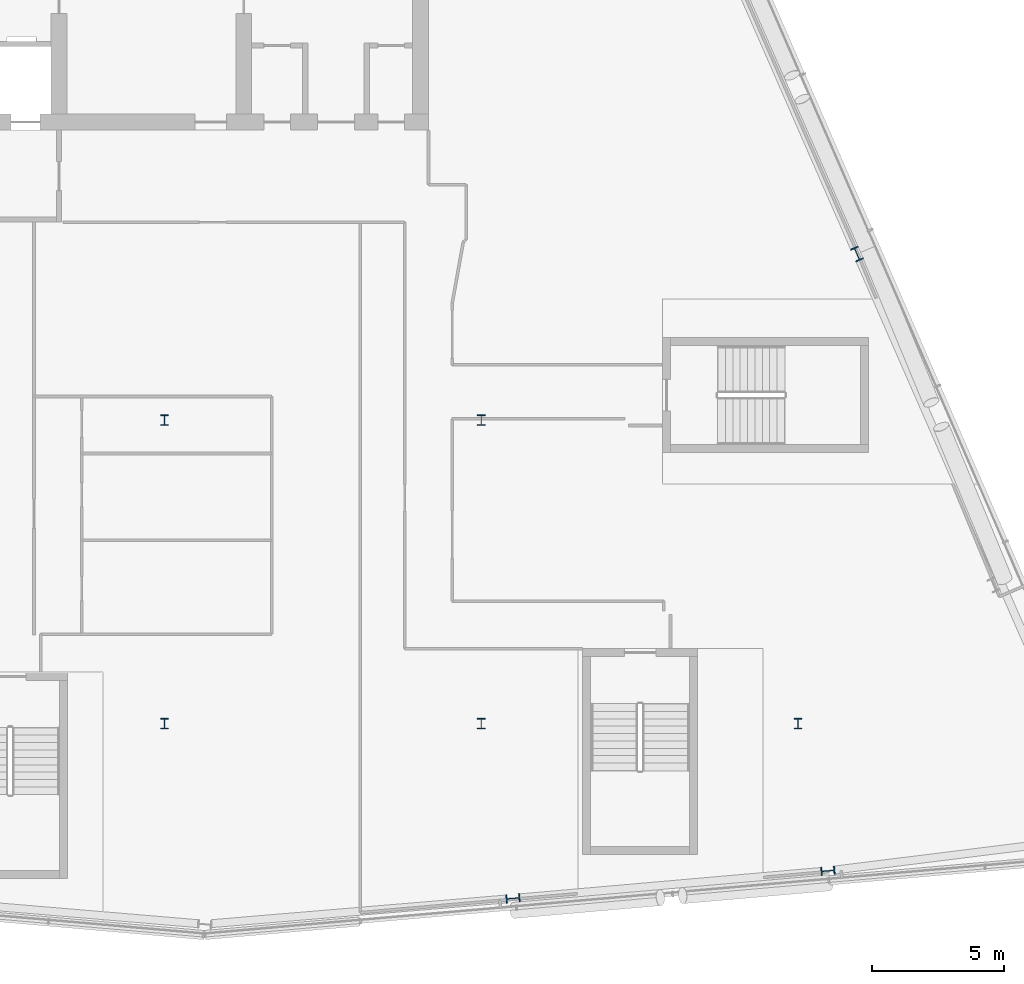
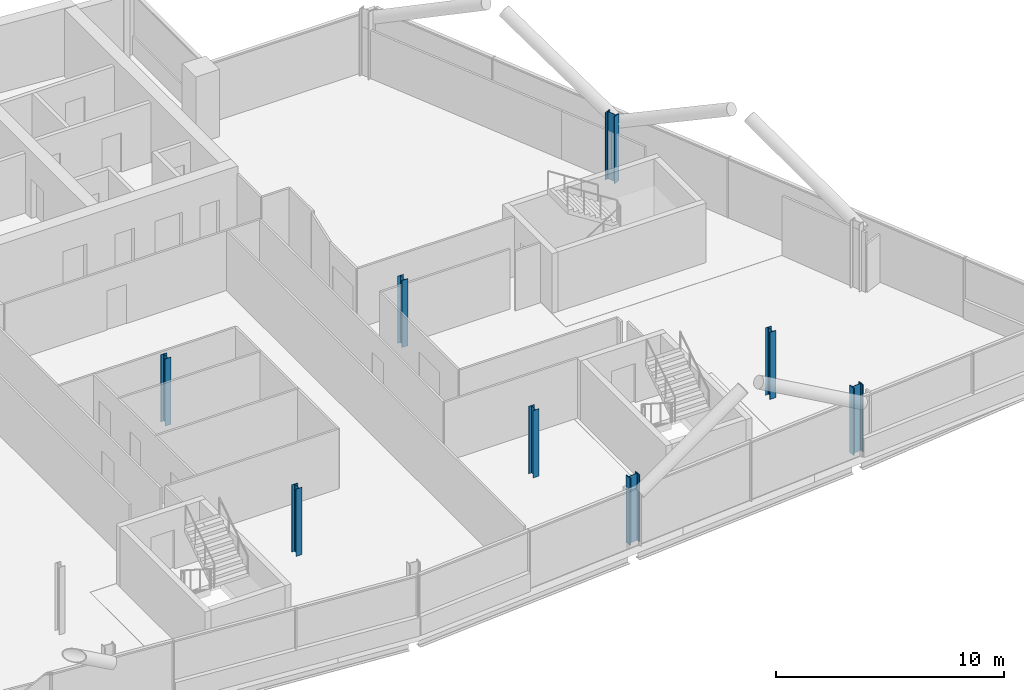
# One storey, part 2 of 25: 8 columns.
"""IFC4 building model written with IfcOpenShell, lengths in metres."""

from ifc_helpers import new_model, si_unit, direction, frame, origin, origin_2d, place, context, subcontext, project, spatial, i_section, extrude, material, material_profile, profile_set, type_object, element, save


model = new_model("IFC4")

# Units and contexts
model_context = context("Model", 3, precision=1e-05, world=origin(), true_north=direction((0.0, 1.0)))
body_context = subcontext(model_context, "Body", "Model", "MODEL_VIEW")
ifc_project = project(units=[si_unit("LENGTHUNIT", "METRE"), si_unit("AREAUNIT", "SQUARE_METRE"), si_unit("VOLUMEUNIT", "CUBIC_METRE"), si_unit("PLANEANGLEUNIT", "RADIAN"), si_unit("MASSUNIT", "GRAM", prefix="KILO")], contexts=[model_context])

# Site, building, storey
site_placement = place(None, origin())
site = spatial("IfcSite", under=ifc_project, at=site_placement, CompositionType="ELEMENT")
building_placement = place(site_placement, origin())
building = spatial("IfcBuilding", under=site, at=building_placement, Name="Wharfspan Tower", CompositionType="ELEMENT")
storey_placement = place(building_placement, frame((0.0, 0.0, 232.300049)))
storey = spatial("IfcBuildingStorey", under=building, at=storey_placement, Name="L58", CompositionType="ELEMENT", Elevation=232.300049)

# Columns
ifc_material = material(Name="Steel S355J2", Category="steel")
ifc_material_profile_1 = material_profile(ifc_material, i_section(OverallWidth=0.300049, OverallDepth=0.399902, WebThickness=0.013428, FlangeThickness=0.023926, FilletRadius=0.0271, at=origin_2d()))
ifc_profile_set_1 = profile_set([ifc_material_profile_1], Name="Steel S355J2")
column_type_1 = type_object("IfcColumnType", Name="Column HEB 400", PredefinedType="COLUMN", material=ifc_profile_set_1)
for number, where, z_axis, x_axis, name in (
    (1, (48.0, 11.5, 0.0), (0.0, 0.0, 1.0), (1.0, 0.0, 0.0), "Interior column I.1.3 L58"),
    (2, (60.0, 11.5, 0.0), (0.0, 0.0, 1.0), (1.0, 0.0, 0.0), "Interior column I.1.4 L58"),
    (3, (72.0, 11.5, 0.0), (0.0, 0.0, 1.0), (1.0, 0.0, 0.0), "Interior column I.1.5 L58"),
    (4, (48.0, 23.0, 0.0), (0.0, 0.0, 1.0), (1.0, 0.0, 0.0), "Interior column I.2.3 L58"),
    (5, (60.0, 23.0, 0.0), (0.0, 0.0, 1.0), (1.0, 0.0, 0.0), "Interior column I.2.4 L58"),
):
    element("IfcColumn", number, at=place(storey_placement, frame(where, z_axis=z_axis, x_axis=x_axis)), inside=storey, type_object=column_type_1, Name=name, PredefinedType="COLUMN", context=body_context, shape_type="SweptSolid", body=[
        extrude(i_section(OverallWidth=0.300049, OverallDepth=0.399902, WebThickness=0.013428, FlangeThickness=0.023926, FilletRadius=0.0271, at=origin_2d()), origin(), (0.0, 0.0, 1.0), 3.599854),
    ])
ifc_material_profile_2 = material_profile(ifc_material, i_section(OverallWidth=0.305908, OverallDepth=0.523926, WebThickness=0.020996, FlangeThickness=0.040039, FilletRadius=0.0271, at=origin_2d()))
ifc_profile_set_2 = profile_set([ifc_material_profile_2], Name="Steel S355J2")
column_type_2 = type_object("IfcColumnType", Name="Column HEM 500", PredefinedType="COLUMN", material=ifc_profile_set_2)
for number, where, z_axis, x_axis, name in (
    (6, (61.202393, 4.879395, 0.0), (0.0, 0.0, 1.0), (0.087156, -0.996197, 0.0), "Perimeter column PS2.1 L58"),
    (7, (73.135254, 5.92334, 0.0), (0.0, 0.0, 1.0), (0.087156, -0.996197, 0.0), "Perimeter column PS2.2 L58"),
    (8, (74.235352, 29.294922, 0.0), (0.0, 0.0, 1.0), (0.917072, 0.398727, 0.0), "Perimeter column PE.2 L58"),
):
    element("IfcColumn", number, at=place(storey_placement, frame(where, z_axis=z_axis, x_axis=x_axis)), inside=storey, type_object=column_type_2, Name=name, PredefinedType="COLUMN", context=body_context, shape_type="SweptSolid", body=[
        extrude(i_section(OverallWidth=0.305908, OverallDepth=0.523926, WebThickness=0.020996, FlangeThickness=0.040039, FilletRadius=0.0271, at=origin_2d()), origin(), (0.0, 0.0, 1.0), 3.599854),
    ])

save(model, "model.ifc")
